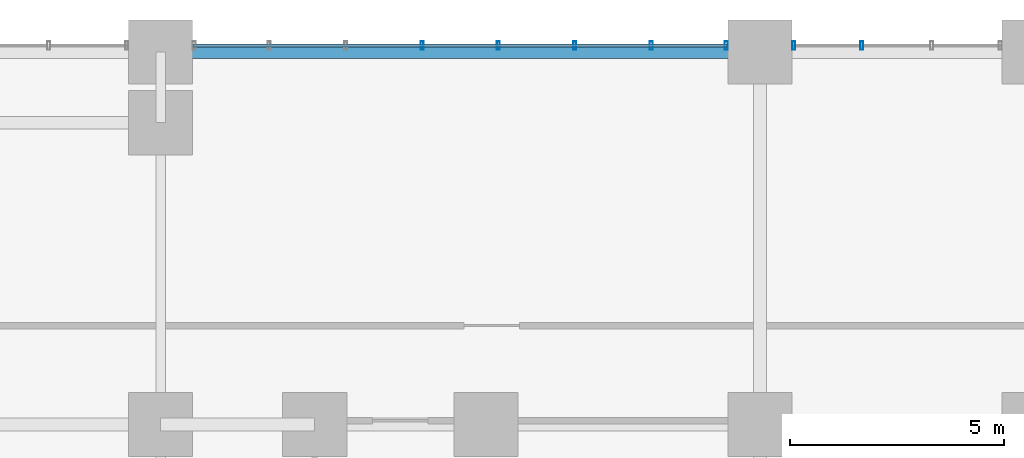
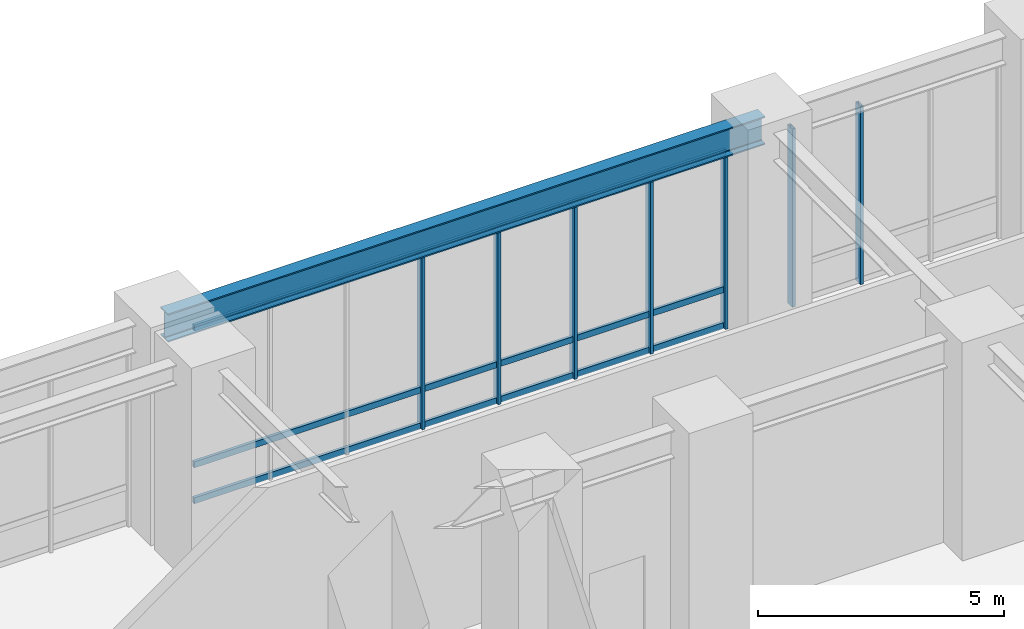
# One storey, part 10 of 22: 10 members, 1 beam, 2 elements without a shape of their own.
"""IFC4 building model written with IfcOpenShell, lengths in metres."""

import ifcopenshell
import ifcopenshell.guid

model = None  # the IFC model being written
_history = None  # IfcOwnerHistory: only IFC2X3 demands one
_inside = {}  # id of a spatial element -> (the spatial element, [elements in it])
_under = {}  # id of a project, library or spatial element -> (it, [spatial elements below it])
_declared = {}  # id of a project -> (the project, [libraries it declares])
_typed = {}  # id of a type object -> (the type object, [elements of that type])
_made_of = {}  # id of a material, layer set ... -> (it, [elements and type objects made of it])


def new_model(schema):
    """Start an empty IFC model of exactly this schema.

    Asked for "IFC4X3", IfcOpenShell would pick the latest addendum, in which some entities
    have other attributes; the version numbers below select the first issue.
    IFC2X3 requires an IfcOwnerHistory on every rooted entity: one is made here for all.
    """
    global model, _history
    if schema == "IFC4X3":
        model = ifcopenshell.file(schema_version=(4, 3, 0, 0))
    else:
        model = ifcopenshell.file(schema=schema)
    _inside.clear()
    _under.clear()
    _declared.clear()
    _typed.clear()
    _made_of.clear()
    _history = None
    if model.schema == "IFC2X3":
        org = make("IfcOrganization", Name="unknown")
        user = make(
            "IfcPersonAndOrganization",
            ThePerson=make("IfcPerson", FamilyName="unknown"),
            TheOrganization=org,
        )
        app = make(
            "IfcApplication",
            ApplicationDeveloper=org,
            Version="unknown",
            ApplicationFullName="unknown",
            ApplicationIdentifier="unknown",
        )
        _history = make(
            "IfcOwnerHistory",
            OwningUser=user,
            OwningApplication=app,
            ChangeAction="ADDED",
            CreationDate=0,
        )
    return model


def make(cls, **values):
    """One entity of the class cls with the attributes given. An attribute that is None is left unset."""
    return model.create_entity(
        cls, **{name: value for name, value in values.items() if value is not None}
    )


def rooted(cls, **values):
    """An entity with a GlobalId (a new one), such as an element, a storey or a relation."""
    return make(cls, GlobalId=ifcopenshell.guid.new(), OwnerHistory=_history, **values)


def si_unit(unit_type, name, prefix=None):
    """IfcSIUnit, for example si_unit("LENGTHUNIT", "METRE", prefix="MILLI")."""
    return make("IfcSIUnit", UnitType=unit_type, Prefix=prefix, Name=name)


def assignment(units):
    """IfcUnitAssignment: the units of a project."""
    return None if units is None else make("IfcUnitAssignment", Units=units)


def point(xyz):
    """IfcCartesianPoint."""
    return None if xyz is None else make("IfcCartesianPoint", Coordinates=xyz)


def direction(xyz):
    """IfcDirection."""
    return None if xyz is None else make("IfcDirection", DirectionRatios=xyz)


def frame(location, z_axis=None, x_axis=None):
    """IfcAxis2Placement3D, a coordinate frame: its origin and axes. An axis left out is left unset."""
    return make(
        "IfcAxis2Placement3D",
        Location=point(location),
        Axis=direction(z_axis),
        RefDirection=direction(x_axis),
    )


def frame_2d(location, x_axis=None):
    """IfcAxis2Placement2D, a coordinate frame in the plane: its origin and x axis."""
    return make(
        "IfcAxis2Placement2D", Location=point(location), RefDirection=direction(x_axis)
    )


def origin():
    """The frame at (0, 0, 0) with its axes left unset."""
    return frame((0.0, 0.0, 0.0))


def origin_2d():
    """The frame at (0, 0) in the plane with its x axis left unset."""
    return frame_2d((0.0, 0.0))


def place(relative_to, where):
    """IfcLocalPlacement: puts the frame where relative to a parent placement (None: the world)."""
    return make(
        "IfcLocalPlacement", PlacementRelTo=relative_to, RelativePlacement=where
    )


def context(
    kind, dimensions, precision=None, world=None, true_north=None, identifier=None
):
    """IfcGeometricRepresentationContext, for example the 3D "Model" context."""
    return make(
        "IfcGeometricRepresentationContext",
        ContextIdentifier=identifier,
        ContextType=kind,
        CoordinateSpaceDimension=dimensions,
        Precision=precision,
        WorldCoordinateSystem=world,
        TrueNorth=true_north,
    )


def subcontext(parent, identifier, kind, view, scale=None):
    """IfcGeometricRepresentationSubContext, for example "Body" below "Model"."""
    return make(
        "IfcGeometricRepresentationSubContext",
        ContextIdentifier=identifier,
        ContextType=kind,
        ParentContext=parent,
        TargetScale=scale,
        TargetView=view,
    )


def project(units=None, contexts=None):
    """IfcProject with its units and contexts."""
    return rooted(
        "IfcProject",
        Name="project",
        RepresentationContexts=contexts,
        UnitsInContext=assignment(units),
    )


def spatial(cls, under=None, at=None, **own):
    """A site, building, storey or space (cls), placed at a placement, below another one or the project."""
    s = rooted(cls, ObjectPlacement=at, **own)
    if under is not None:
        _under.setdefault(under.id(), (under, []))[1].append(s)
    return s


def profile(cls, at=None, kind="AREA", **sizes):
    """A parametric profile (cls). Its sizes go by their IFC names, for example OverallWidth=200.0."""
    return make(cls, ProfileType=kind, Position=at, **sizes)


def hollow_rectangle(**sizes):
    """IfcRectangleHollowProfileDef."""
    return profile("IfcRectangleHollowProfileDef", **sizes)


def i_section(**sizes):
    """IfcIShapeProfileDef."""
    return profile("IfcIShapeProfileDef", **sizes)


def extrude(swept, where, along, depth):
    """IfcExtrudedAreaSolid: the profile swept, set in the frame where, extruded along a direction by depth."""
    return make(
        "IfcExtrudedAreaSolid",
        SweptArea=swept,
        Position=where,
        ExtrudedDirection=direction(along),
        Depth=depth,
    )


def shape(context_of_items, identifier, shape_type, items):
    """IfcShapeRepresentation: the items that make up one representation, for example the "Body"."""
    return make(
        "IfcShapeRepresentation",
        ContextOfItems=context_of_items,
        RepresentationIdentifier=identifier,
        RepresentationType=shape_type,
        Items=items,
    )


def source(mapping_origin, context_of_items, identifier, shape_type, items):
    """IfcRepresentationMap: a shape defined once, which mapped items show again and again."""
    return make(
        "IfcRepresentationMap",
        MappingOrigin=mapping_origin,
        MappedRepresentation=shape(context_of_items, identifier, shape_type, items),
    )


def transform(
    local_origin,
    x_axis=None,
    y_axis=None,
    z_axis=None,
    scale=None,
    scale2=None,
    scale3=None,
    uniform=True,
):
    """IfcCartesianTransformationOperator3D, or its non-uniform kind. x_axis, y_axis, z_axis: its Axis1, 2, 3."""
    if uniform:
        return make(
            "IfcCartesianTransformationOperator3D",
            Axis1=direction(x_axis),
            Axis2=direction(y_axis),
            LocalOrigin=point(local_origin),
            Scale=scale,
            Axis3=direction(z_axis),
        )
    return make(
        "IfcCartesianTransformationOperator3DnonUniform",
        Axis1=direction(x_axis),
        Axis2=direction(y_axis),
        LocalOrigin=point(local_origin),
        Scale=scale,
        Axis3=direction(z_axis),
        Scale2=scale2,
        Scale3=scale3,
    )


def mapped(mapping_source, mapping_target):
    """IfcMappedItem: shows the shape of a source again, moved by a transform."""
    return make(
        "IfcMappedItem", MappingSource=mapping_source, MappingTarget=mapping_target
    )


def material(Name=None, Category=None):
    """IfcMaterial."""
    return make("IfcMaterial", Name=Name, Category=Category)


def layer(
    of_material, thickness, ventilated=None, Name=None, Category=None, Priority=None
):
    """IfcMaterialLayer: one layer of a wall or slab, of a material (None: an air gap)."""
    return make(
        "IfcMaterialLayer",
        Material=of_material,
        LayerThickness=thickness,
        IsVentilated=ventilated,
        Name=Name,
        Category=Category,
        Priority=Priority,
    )


def layer_set(layers, Name=None):
    """IfcMaterialLayerSet."""
    return make("IfcMaterialLayerSet", MaterialLayers=layers, LayerSetName=Name)


def material_profile(
    of_material, cross_section, Name=None, Category=None, Priority=None
):
    """IfcMaterialProfile: a cross section and its material."""
    return make(
        "IfcMaterialProfile",
        Name=Name,
        Material=of_material,
        Profile=cross_section,
        Priority=Priority,
        Category=Category,
    )


def profile_set(profiles, Name=None, composite=None):
    """IfcMaterialProfileSet."""
    return make(
        "IfcMaterialProfileSet",
        Name=Name,
        MaterialProfiles=profiles,
        CompositeProfile=composite,
    )


def made_of(thing, what):
    """Note that an element or type object is made of a material, layer set ...; save() writes the relation."""
    if what is not None:
        _made_of.setdefault(what.id(), (what, []))[1].append(thing)
    return thing


def type_object(cls, material=None, **own):
    """A type object (cls), such as IfcWallType, which elements share."""
    return made_of(rooted(cls, **own), material)


def element(
    cls,
    number,
    at=None,
    inside=None,
    cuts=None,
    type_object=None,
    material=None,
    context=None,
    identifier="Body",
    shape_type=None,
    held_by="IfcProductDefinitionShape",
    body=None,
    shapes=None,
    **own,
):
    """One element of the class cls, such as IfcWall. Its Tag is "e" and its number.

    at: its placement. inside: the storey or other place that contains it. cuts: it is an
    opening in that element (IfcRelVoidsElement). A single representation is given by context,
    identifier, shape_type and body (its items); several are given by shapes. held_by: the class
    of the entity that holds the representations. save() writes the other relations.
    """
    e = rooted(cls, Tag="e%d" % number, ObjectPlacement=at, **own)
    if body is not None:
        shapes = [shape(context, identifier, shape_type, body)]
    if shapes is not None:
        e.Representation = make(held_by, Representations=shapes)
    if inside is not None:
        _inside.setdefault(inside.id(), (inside, []))[1].append(e)
    if cuts is not None:
        rooted(
            "IfcRelVoidsElement", RelatingBuildingElement=cuts, RelatedOpeningElement=e
        )
    if type_object is not None:
        _typed.setdefault(type_object.id(), (type_object, []))[1].append(e)
    return made_of(e, material)


def aggregate(whole, parts):
    """IfcRelAggregates: a whole, such as a stair, and the parts it consists of."""
    return rooted("IfcRelAggregates", RelatingObject=whole, RelatedObjects=parts)


def save(model, path):
    """Write the relations noted so far, then the file.

    IfcRelAggregates (storeys below a building ...), IfcRelContainedInSpatialStructure (elements
    in a storey), IfcRelDefinesByType, IfcRelAssociatesMaterial and IfcRelDeclares: one each for
    every whole, place, type object, material and project.
    """
    for whole, parts in _under.values():
        aggregate(whole, parts)
    for where, things in _inside.values():
        rooted(
            "IfcRelContainedInSpatialStructure",
            RelatedElements=things,
            RelatingStructure=where,
        )
    for kind, things in _typed.values():
        rooted("IfcRelDefinesByType", RelatedObjects=things, RelatingType=kind)
    for what, things in _made_of.values():
        rooted("IfcRelAssociatesMaterial", RelatedObjects=things, RelatingMaterial=what)
    for by, libraries in _declared.values():
        rooted("IfcRelDeclares", RelatingContext=by, RelatedDefinitions=libraries)
    model.write(path)


model = new_model("IFC4")

# Units and contexts
model_context = context("Model", 3, precision=1e-05, world=origin(), true_north=direction((0.0, 1.0)))
body_context = subcontext(model_context, "Body", "Model", "MODEL_VIEW")
ifc_project = project(units=[si_unit("LENGTHUNIT", "METRE"), si_unit("AREAUNIT", "SQUARE_METRE"), si_unit("VOLUMEUNIT", "CUBIC_METRE"), si_unit("PLANEANGLEUNIT", "RADIAN"), si_unit("MASSUNIT", "GRAM", prefix="KILO")], contexts=[model_context])

# Site, building, storey
site_placement = place(None, origin())
site = spatial("IfcSite", under=ifc_project, at=site_placement, CompositionType="ELEMENT")
building_placement = place(site_placement, origin())
building = spatial("IfcBuilding", under=site, at=building_placement, Name="Kaliganga Portal Commons", CompositionType="ELEMENT")
storey_placement = place(building_placement, origin())
storey = spatial("IfcBuildingStorey", under=building, at=storey_placement, Name="L00", CompositionType="ELEMENT", Elevation=0.0)

# Beam
ifc_material_1 = material(Name="Structural steel S355J2", Category="steel")
ifc_material_profile_1 = material_profile(ifc_material_1, i_section(OverallWidth=0.300048828125, OverallDepth=0.699951171875, WebThickness=0.01708984375, FlangeThickness=0.031982421875, FilletRadius=0.027099609375, at=origin_2d()), Name="HE 700 B")
ifc_profile_set_1 = profile_set([ifc_material_profile_1], Name="Structural steel S355J2 wide-flange")
beam_type = type_object("IfcBeamType", Name="BM-GIRD-700", PredefinedType="USERDEFINED", material=ifc_profile_set_1)
shared_shape_1 = source(origin(), body_context, "Body", "SweptSolid", [
    extrude(i_section(OverallWidth=0.300048828125, OverallDepth=0.699951171875, WebThickness=0.01708984375, FlangeThickness=0.031982421875, FilletRadius=0.027099609375, at=origin_2d()), origin(), (0.0, 0.0, 1.0), 14.0),
])
beam_placement = place(storey_placement, frame((46.800048828125, 44.85009765625, 4.77001953125), z_axis=(1.0, 0.0, 0.0), x_axis=(0.0, 1.0, 0.0)))
element("IfcBeam", 1, at=beam_placement, inside=storey, type_object=beam_type, Name="BM PODP L00 N44 5", ObjectType="GIRDER", PredefinedType="USERDEFINED", context=body_context, shape_type="MappedRepresentation", body=[
    mapped(shared_shape_1, transform((0.0, 0.0, 0.0), x_axis=(1.0, 0.0, 0.0), y_axis=(0.0, 1.0, 0.0), z_axis=(0.0, 0.0, 1.0), scale=1.0)),
])

# Curtain wall, members
ifc_material_2 = material(Name="Anodized Aluminium and Laminated Low-E Glass", Category="aluminium")
ifc_layer = layer(ifc_material_2, 0.219970703125)
ifc_layer_set = layer_set([ifc_layer], Name="Anodized Aluminium and Laminated Low-E Glass")
curtain_wall_type = type_object("IfcCurtainWallType", Name="CW-SYS-01", PredefinedType="NOTDEFINED", material=ifc_layer_set)
curtain_wall_1_placement = place(storey_placement, origin())
curtain_wall_1 = element("IfcCurtainWall", 2, at=curtain_wall_1_placement, inside=storey, type_object=curtain_wall_type, Name="CW 01 L00 P1E02S2", PredefinedType="NOTDEFINED")
ifc_material_3 = material(Name="Dark Bronze Anodized Aluminium", Category="aluminium")
ifc_material_profile_2 = material_profile(ifc_material_3, hollow_rectangle(XDim=0.070068359375, YDim=0.199951171875, WallThickness=0.00390625, at=origin_2d()), Name="ALU MULL 70x200x4")
ifc_profile_set_2 = profile_set([ifc_material_profile_2], Name="Dark Bronze Anodized Aluminium")
member_type_1 = type_object("IfcMemberType", Name="CW-MUL-220", PredefinedType="MULLION", material=ifc_profile_set_2)
shared_shape_2 = source(origin(), body_context, "Body", "SweptSolid", [
    extrude(hollow_rectangle(XDim=0.070068359375, YDim=0.199951171875, WallThickness=0.00390625, at=origin_2d()), origin(), (0.0, 0.0, 1.0), 4.419921875),
])
member_1_placement = place(storey_placement, frame((63.18359375, 45.0, 0.0), z_axis=(0.0, 0.0, 1.0), x_axis=(-1.0, 0.0, 0.0)))
member_1 = element("IfcMember", 3, at=member_1_placement, type_object=member_type_1, Name="CW:01:L00:P1E02S2 Mullion 02", PredefinedType="MULLION", context=body_context, shape_type="MappedRepresentation", body=[
    mapped(shared_shape_2, transform((0.0, 0.0, 0.0), x_axis=(1.0, 0.0, 0.0), y_axis=(0.0, 1.0, 0.0), z_axis=(0.0, 0.0, 1.0), scale=1.0)),
])
member_2_placement = place(storey_placement, frame((61.5859375, 45.0, 0.0), z_axis=(0.0, 0.0, 1.0), x_axis=(-1.0, 0.0, 0.0)))
member_2 = element("IfcMember", 4, at=member_2_placement, type_object=member_type_1, Name="CW:01:L00:P1E02S2 Mullion 03", PredefinedType="MULLION", context=body_context, shape_type="MappedRepresentation", body=[
    mapped(shared_shape_2, transform((0.0, 0.0, 0.0), x_axis=(1.0, 0.0, 0.0), y_axis=(0.0, 1.0, 0.0), z_axis=(0.0, 0.0, 1.0), scale=1.0)),
])
aggregate(curtain_wall_1, [member_1, member_2])

curtain_wall_2_placement = place(storey_placement, origin())
curtain_wall_2 = element("IfcCurtainWall", 5, at=curtain_wall_2_placement, inside=storey, type_object=curtain_wall_type, Name="CW 01 L00 P1E02S3", PredefinedType="NOTDEFINED")
member_3_placement = place(storey_placement, frame((60.013916015625, 45.0, 0.0), z_axis=(0.0, 0.0, 1.0), x_axis=(-1.0, 0.0, 0.0)))
member_3 = element("IfcMember", 6, at=member_3_placement, type_object=member_type_1, Name="CW:01:L00:P1E02S3 Mullion 00", PredefinedType="MULLION", context=body_context, shape_type="MappedRepresentation", body=[
    mapped(shared_shape_2, transform((0.0, 0.0, 0.0), x_axis=(1.0, 0.0, 0.0), y_axis=(0.0, 1.0, 0.0), z_axis=(0.0, 0.0, 1.0), scale=1.0)),
])
member_4_placement = place(storey_placement, frame((58.263671875, 45.0, 0.0), z_axis=(0.0, 0.0, 1.0), x_axis=(-1.0, 0.0, 0.0)))
member_4 = element("IfcMember", 7, at=member_4_placement, type_object=member_type_1, Name="CW:01:L00:P1E02S3 Mullion 01", PredefinedType="MULLION", context=body_context, shape_type="MappedRepresentation", body=[
    mapped(shared_shape_2, transform((0.0, 0.0, 0.0), x_axis=(1.0, 0.0, 0.0), y_axis=(0.0, 1.0, 0.0), z_axis=(0.0, 0.0, 1.0), scale=1.0)),
])
member_5_placement = place(storey_placement, frame((56.47802734375, 45.0, 0.0), z_axis=(0.0, 0.0, 1.0), x_axis=(-1.0, 0.0, 0.0)))
member_5 = element("IfcMember", 8, at=member_5_placement, type_object=member_type_1, Name="CW:01:L00:P1E02S3 Mullion 02", PredefinedType="MULLION", context=body_context, shape_type="MappedRepresentation", body=[
    mapped(shared_shape_2, transform((0.0, 0.0, 0.0), x_axis=(1.0, 0.0, 0.0), y_axis=(0.0, 1.0, 0.0), z_axis=(0.0, 0.0, 1.0), scale=1.0)),
])
member_6_placement = place(storey_placement, frame((54.692626953125, 45.0, 0.0), z_axis=(0.0, 0.0, 1.0), x_axis=(-1.0, 0.0, 0.0)))
member_6 = element("IfcMember", 9, at=member_6_placement, type_object=member_type_1, Name="CW:01:L00:P1E02S3 Mullion 03", PredefinedType="MULLION", context=body_context, shape_type="MappedRepresentation", body=[
    mapped(shared_shape_2, transform((0.0, 0.0, 0.0), x_axis=(1.0, 0.0, 0.0), y_axis=(0.0, 1.0, 0.0), z_axis=(0.0, 0.0, 1.0), scale=1.0)),
])
member_7_placement = place(storey_placement, frame((52.9072265625, 45.0, 0.0), z_axis=(0.0, 0.0, 1.0), x_axis=(-1.0, 0.0, 0.0)))
member_7 = element("IfcMember", 10, at=member_7_placement, type_object=member_type_1, Name="CW:01:L00:P1E02S3 Mullion 04", PredefinedType="MULLION", context=body_context, shape_type="MappedRepresentation", body=[
    mapped(shared_shape_2, transform((0.0, 0.0, 0.0), x_axis=(1.0, 0.0, 0.0), y_axis=(0.0, 1.0, 0.0), z_axis=(0.0, 0.0, 1.0), scale=1.0)),
])
ifc_material_profile_3 = material_profile(ifc_material_3, hollow_rectangle(XDim=0.070068359375, YDim=0.14990234375, WallThickness=0.00341796875, at=origin_2d()), Name="ALU TRAN 70x150x3.5")
ifc_profile_set_3 = profile_set([ifc_material_profile_3], Name="Dark Bronze Anodized Aluminium")
member_type_2 = type_object("IfcMemberType", Name="CW-TRN-150", PredefinedType="USERDEFINED", material=ifc_profile_set_3)
shared_shape_3 = source(origin(), body_context, "Body", "SweptSolid", [
    extrude(hollow_rectangle(XDim=0.070068359375, YDim=0.14990234375, WallThickness=0.00341796875, at=origin_2d()), origin(), (0.0, 0.0, 1.0), 12.4580078125),
])
member_8_placement = place(storey_placement, frame((60.029052734375, 45.0, 0.06005859375), z_axis=(-1.0, 0.0, 0.0), x_axis=(0.0, -1.0, 0.0)))
member_8 = element("IfcMember", 11, at=member_8_placement, type_object=member_type_2, Name="CW:01:L00:P1E02S3 Transom 1", ObjectType="TRANSOM", PredefinedType="USERDEFINED", context=body_context, shape_type="MappedRepresentation", body=[
    mapped(shared_shape_3, transform((0.0, 0.0, 0.0), x_axis=(1.0, 0.0, 0.0), y_axis=(0.0, 1.0, 0.0), z_axis=(0.0, 0.0, 1.0), scale=1.0)),
])
member_9_placement = place(storey_placement, frame((60.029052734375, 45.0, 0.949951171875), z_axis=(-1.0, 0.0, 0.0), x_axis=(0.0, -1.0, 0.0)))
member_9 = element("IfcMember", 12, at=member_9_placement, type_object=member_type_2, Name="CW:01:L00:P1E02S3 Transom 2", ObjectType="TRANSOM", PredefinedType="USERDEFINED", context=body_context, shape_type="MappedRepresentation", body=[
    mapped(shared_shape_3, transform((0.0, 0.0, 0.0), x_axis=(1.0, 0.0, 0.0), y_axis=(0.0, 1.0, 0.0), z_axis=(0.0, 0.0, 1.0), scale=1.0)),
])
member_10_placement = place(storey_placement, frame((60.029052734375, 45.0, 4.340087890625), z_axis=(-1.0, 0.0, 0.0), x_axis=(0.0, -1.0, 0.0)))
member_10 = element("IfcMember", 13, at=member_10_placement, type_object=member_type_2, Name="CW:01:L00:P1E02S3 Transom 3", ObjectType="TRANSOM", PredefinedType="USERDEFINED", context=body_context, shape_type="MappedRepresentation", body=[
    mapped(shared_shape_3, transform((0.0, 0.0, 0.0), x_axis=(1.0, 0.0, 0.0), y_axis=(0.0, 1.0, 0.0), z_axis=(0.0, 0.0, 1.0), scale=1.0)),
])
aggregate(curtain_wall_2, [member_3, member_4, member_5, member_6, member_7, member_8, member_9, member_10])

save(model, "model.ifc")
